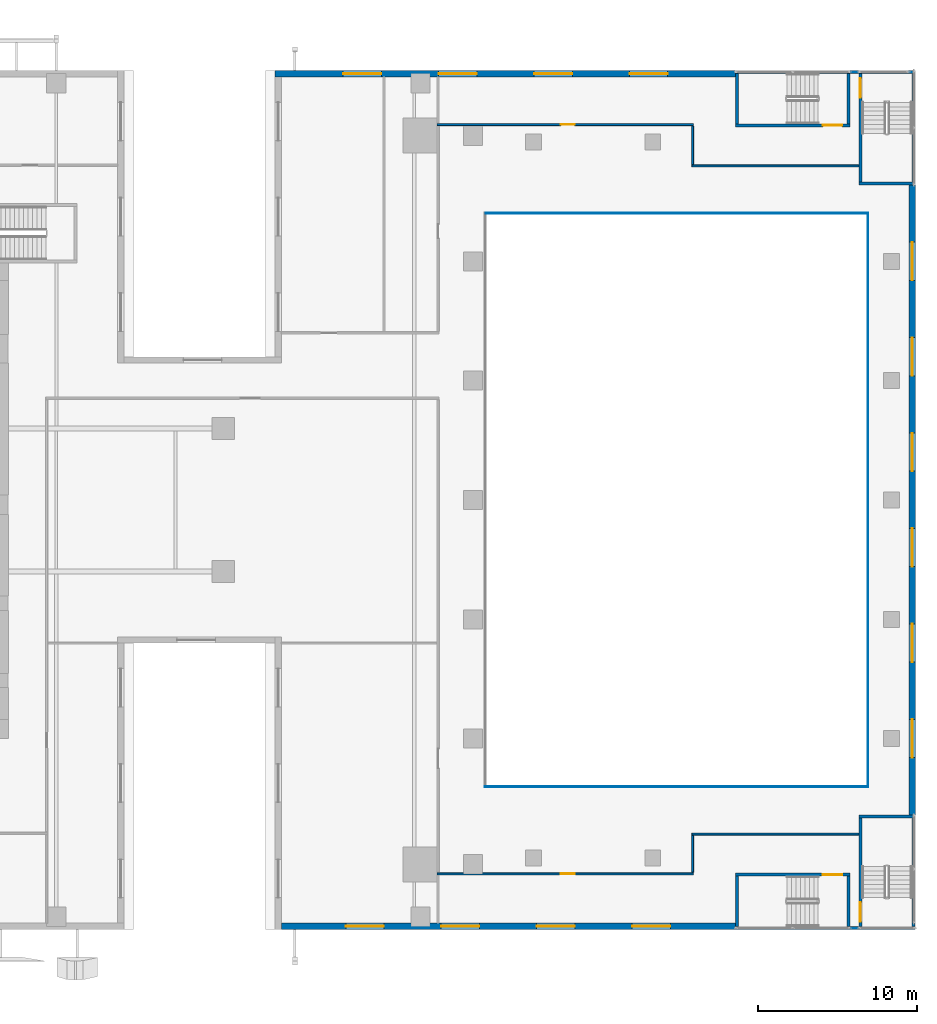
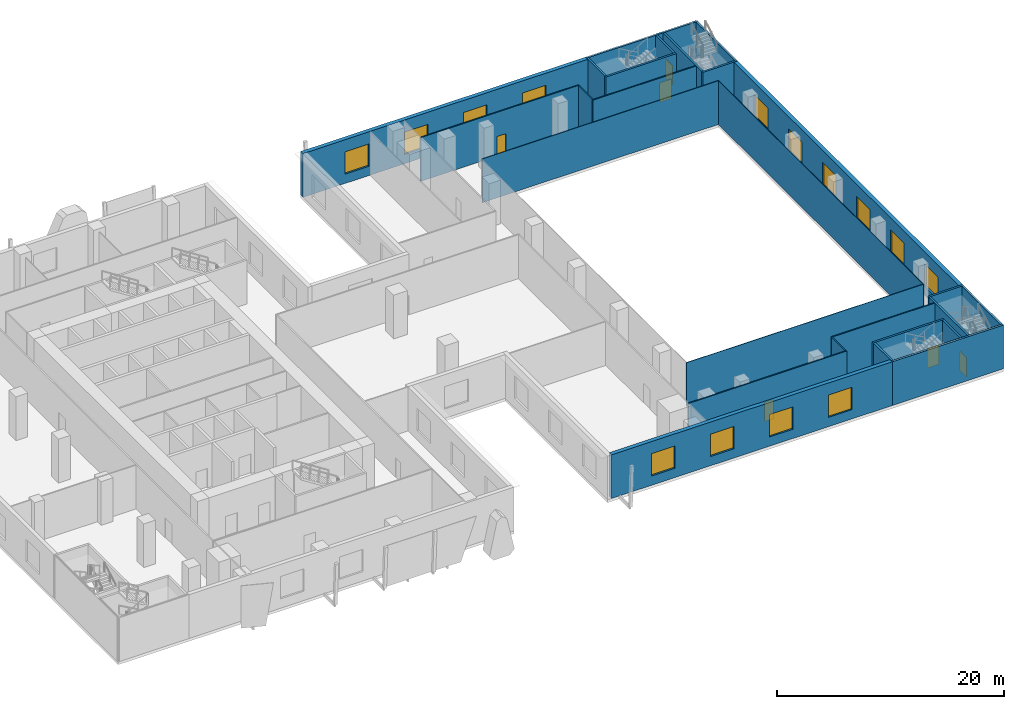
# One storey, part 14 of 22: 26 walls, 14 windows, 6 doors, 20 openings.
"""IFC4 building model written with IfcOpenShell, lengths in metres."""

from ifc_helpers import new_model, si_unit, direction, frame, frame_2d, origin, place, context, subcontext, project, spatial, rectangle, extrude, source, transform, mapped, material, layer, layer_set, type_object, element, fill, save


model = new_model("IFC4")

# Units and contexts
model_context = context("Model", 3, precision=1e-05, world=origin(), true_north=direction((0.0, 1.0)))
body_context = subcontext(model_context, "Body", "Model", "MODEL_VIEW")
ifc_project = project(units=[si_unit("LENGTHUNIT", "METRE"), si_unit("AREAUNIT", "SQUARE_METRE"), si_unit("VOLUMEUNIT", "CUBIC_METRE"), si_unit("PLANEANGLEUNIT", "RADIAN"), si_unit("MASSUNIT", "GRAM", prefix="KILO")], contexts=[model_context])

# Site, building, storey
site_placement = place(None, origin())
site = spatial("IfcSite", under=ifc_project, at=site_placement, CompositionType="ELEMENT")
building_placement = place(site_placement, origin())
building = spatial("IfcBuilding", under=site, at=building_placement, Name="Khomas Fold Tower", CompositionType="ELEMENT")
storey_placement = place(building_placement, frame((0.0, 0.0, 23.5)))
storey = spatial("IfcBuildingStorey", under=building, at=storey_placement, Name="L04", CompositionType="ELEMENT", Elevation=23.5)

# Wall, openings, windows
ifc_material_1 = material(Name="Concrete C40/50", Category="concrete")
ifc_layer_1 = layer(ifc_material_1, 0.39990234375)
ifc_layer_set_1 = layer_set([ifc_layer_1], Name="Concrete C40/50")
wall_type_1 = type_object("IfcWallType", Name="Stone-clad concrete wall 400", PredefinedType="SOLIDWALL", material=ifc_layer_set_1)
shared_shape_1 = source(origin(), body_context, "Body", "SweptSolid", [
    extrude(rectangle(XDim=39.580078125, YDim=0.39990234375, at=frame_2d((19.7900390625, 0.0))), origin(), (0.0, 0.0, 1.0), 4.699951171875),
])
wall_1_placement = place(storey_placement, frame((80.800048828125, 7.2099609375, 0.0), z_axis=(0.0, 0.0, 1.0), x_axis=(0.0, 1.0, 0.0)))
wall_1 = element("IfcWall", 1, at=wall_1_placement, inside=storey, type_object=wall_type_1, Name="Podium wall", PredefinedType="SOLIDWALL", context=body_context, shape_type="MappedRepresentation", body=[
    mapped(shared_shape_1, transform((0.0, 0.0, 0.0))),
])
shared_shape_2 = source(origin(), body_context, "Body", "SweptSolid", [
    extrude(rectangle(XDim=2.39990234375, YDim=2.39990234375, at=frame_2d((1.199951171875, 1.199951171875))), frame((0.0, 0.2099609375, 0.0), z_axis=(0.0, -1.0, 0.0), x_axis=(1.0, 0.0, 0.0)), (0.0, 0.0, 1.0), 0.419921875),
])
opening_1_placement = place(wall_1_placement, frame((3.60009765625, 0.0, 1.0)))
opening_1 = element("IfcOpeningElement", 2, at=opening_1_placement, cuts=wall_1, Name="Opening PD-WN", PredefinedType="OPENING", context=body_context, shape_type="MappedRepresentation", body=[
    mapped(shared_shape_2, transform((0.0, 0.0, 0.0))),
])
opening_2_placement = place(wall_1_placement, frame((9.60009765625, 0.0, 1.0)))
opening_2 = element("IfcOpeningElement", 3, at=opening_2_placement, cuts=wall_1, Name="Opening PD-WN", PredefinedType="OPENING", context=body_context, shape_type="MappedRepresentation", body=[
    mapped(shared_shape_2, transform((0.0, 0.0, 0.0))),
])
opening_3_placement = place(wall_1_placement, frame((15.60009765625, 0.0, 1.0)))
opening_3 = element("IfcOpeningElement", 4, at=opening_3_placement, cuts=wall_1, Name="Opening PD-WN", PredefinedType="OPENING", context=body_context, shape_type="MappedRepresentation", body=[
    mapped(shared_shape_2, transform((0.0, 0.0, 0.0))),
])
opening_4_placement = place(wall_1_placement, frame((21.60009765625, 0.0, 1.0)))
opening_4 = element("IfcOpeningElement", 5, at=opening_4_placement, cuts=wall_1, Name="Opening PD-WN", PredefinedType="OPENING", context=body_context, shape_type="MappedRepresentation", body=[
    mapped(shared_shape_2, transform((0.0, 0.0, 0.0))),
])
opening_5_placement = place(wall_1_placement, frame((27.60009765625, 0.0, 1.0)))
opening_5 = element("IfcOpeningElement", 6, at=opening_5_placement, cuts=wall_1, Name="Opening PD-WN", PredefinedType="OPENING", context=body_context, shape_type="MappedRepresentation", body=[
    mapped(shared_shape_2, transform((0.0, 0.0, 0.0))),
])
opening_6_placement = place(wall_1_placement, frame((33.60009765625, 0.0, 1.0)))
opening_6 = element("IfcOpeningElement", 7, at=opening_6_placement, cuts=wall_1, Name="Opening PD-WN", PredefinedType="OPENING", context=body_context, shape_type="MappedRepresentation", body=[
    mapped(shared_shape_2, transform((0.0, 0.0, 0.0))),
])
ifc_material_2 = material(Name="Aluminium framed double glazing", Category="aluminium")
window_type = type_object("IfcWindowType", Name="Podium window 2400 x 2400", PartitioningType="SINGLE_PANEL", PredefinedType="WINDOW", material=ifc_material_2)
shared_shape_3 = source(origin(), body_context, "Body", "SweptSolid", [
    extrude(rectangle(XDim=2.39990234375, YDim=2.39990234375, at=frame_2d((1.199951171875, 1.199951171875))), frame((0.0, 0.030029296875, 0.0), z_axis=(0.0, -1.0, 0.0), x_axis=(1.0, 0.0, 0.0)), (0.0, 0.0, 1.0), 0.06005859375),
])
window_1_placement = place(opening_1_placement, origin())
window_1 = element("IfcWindow", 8, at=window_1_placement, inside=storey, type_object=window_type, Name="Podium window", OverallHeight=2.39990234375, OverallWidth=2.39990234375, PartitioningType="SINGLE_PANEL", PredefinedType="WINDOW", context=body_context, shape_type="MappedRepresentation", body=[
    mapped(shared_shape_3, transform((0.0, 0.0, 0.0))),
])
fill(opening_1, window_1)
window_2_placement = place(opening_2_placement, origin())
window_2 = element("IfcWindow", 9, at=window_2_placement, inside=storey, type_object=window_type, Name="Podium window", OverallHeight=2.39990234375, OverallWidth=2.39990234375, PartitioningType="SINGLE_PANEL", PredefinedType="WINDOW", context=body_context, shape_type="MappedRepresentation", body=[
    mapped(shared_shape_3, transform((0.0, 0.0, 0.0))),
])
fill(opening_2, window_2)
window_3_placement = place(opening_3_placement, origin())
window_3 = element("IfcWindow", 10, at=window_3_placement, inside=storey, type_object=window_type, Name="Podium window", OverallHeight=2.39990234375, OverallWidth=2.39990234375, PartitioningType="SINGLE_PANEL", PredefinedType="WINDOW", context=body_context, shape_type="MappedRepresentation", body=[
    mapped(shared_shape_3, transform((0.0, 0.0, 0.0))),
])
fill(opening_3, window_3)
window_4_placement = place(opening_4_placement, origin())
window_4 = element("IfcWindow", 11, at=window_4_placement, inside=storey, type_object=window_type, Name="Podium window", OverallHeight=2.39990234375, OverallWidth=2.39990234375, PartitioningType="SINGLE_PANEL", PredefinedType="WINDOW", context=body_context, shape_type="MappedRepresentation", body=[
    mapped(shared_shape_3, transform((0.0, 0.0, 0.0))),
])
fill(opening_4, window_4)
window_5_placement = place(opening_5_placement, origin())
window_5 = element("IfcWindow", 12, at=window_5_placement, inside=storey, type_object=window_type, Name="Podium window", OverallHeight=2.39990234375, OverallWidth=2.39990234375, PartitioningType="SINGLE_PANEL", PredefinedType="WINDOW", context=body_context, shape_type="MappedRepresentation", body=[
    mapped(shared_shape_3, transform((0.0, 0.0, 0.0))),
])
fill(opening_5, window_5)
window_6_placement = place(opening_6_placement, origin())
window_6 = element("IfcWindow", 13, at=window_6_placement, inside=storey, type_object=window_type, Name="Podium window", OverallHeight=2.39990234375, OverallWidth=2.39990234375, PartitioningType="SINGLE_PANEL", PredefinedType="WINDOW", context=body_context, shape_type="MappedRepresentation", body=[
    mapped(shared_shape_3, transform((0.0, 0.0, 0.0))),
])
fill(opening_6, window_6)

shared_shape_4 = source(origin(), body_context, "Body", "SweptSolid", [
    extrude(rectangle(XDim=28.5400390625, YDim=0.39990234375, at=frame_2d((14.27001953125, 0.0))), origin(), (0.0, 0.0, 1.0), 4.699951171875),
])
wall_2_placement = place(storey_placement, frame((41.14990234375, 0.199951171875, 0.0), z_axis=(0.0, 0.0, 1.0), x_axis=(1.0, 0.0, 0.0)))
wall_2 = element("IfcWall", 14, at=wall_2_placement, inside=storey, type_object=wall_type_1, Name="Podium wall", PredefinedType="SOLIDWALL", context=body_context, shape_type="MappedRepresentation", body=[
    mapped(shared_shape_4, transform((0.0, 0.0, 0.0))),
])
opening_7_placement = place(wall_2_placement, frame((4.050048828125, 0.0, 1.0)))
opening_7 = element("IfcOpeningElement", 15, at=opening_7_placement, cuts=wall_2, Name="Opening PD-WN", PredefinedType="OPENING", context=body_context, shape_type="MappedRepresentation", body=[
    mapped(shared_shape_2, transform((0.0, 0.0, 0.0))),
])
opening_8_placement = place(wall_2_placement, frame((10.050048828125, 0.0, 1.0)))
opening_8 = element("IfcOpeningElement", 16, at=opening_8_placement, cuts=wall_2, Name="Opening PD-WN", PredefinedType="OPENING", context=body_context, shape_type="MappedRepresentation", body=[
    mapped(shared_shape_2, transform((0.0, 0.0, 0.0))),
])
opening_9_placement = place(wall_2_placement, frame((16.050048828125, 0.0, 1.0)))
opening_9 = element("IfcOpeningElement", 17, at=opening_9_placement, cuts=wall_2, Name="Opening PD-WN", PredefinedType="OPENING", context=body_context, shape_type="MappedRepresentation", body=[
    mapped(shared_shape_2, transform((0.0, 0.0, 0.0))),
])
opening_10_placement = place(wall_2_placement, frame((22.050048828125, 0.0, 1.0)))
opening_10 = element("IfcOpeningElement", 18, at=opening_10_placement, cuts=wall_2, Name="Opening PD-WN", PredefinedType="OPENING", context=body_context, shape_type="MappedRepresentation", body=[
    mapped(shared_shape_2, transform((0.0, 0.0, 0.0))),
])
window_7_placement = place(opening_7_placement, origin())
window_7 = element("IfcWindow", 19, at=window_7_placement, inside=storey, type_object=window_type, Name="Podium window", OverallHeight=2.39990234375, OverallWidth=2.39990234375, PartitioningType="SINGLE_PANEL", PredefinedType="WINDOW", context=body_context, shape_type="MappedRepresentation", body=[
    mapped(shared_shape_3, transform((0.0, 0.0, 0.0))),
])
fill(opening_7, window_7)
window_8_placement = place(opening_8_placement, origin())
window_8 = element("IfcWindow", 20, at=window_8_placement, inside=storey, type_object=window_type, Name="Podium window", OverallHeight=2.39990234375, OverallWidth=2.39990234375, PartitioningType="SINGLE_PANEL", PredefinedType="WINDOW", context=body_context, shape_type="MappedRepresentation", body=[
    mapped(shared_shape_3, transform((0.0, 0.0, 0.0))),
])
fill(opening_8, window_8)
window_9_placement = place(opening_9_placement, origin())
window_9 = element("IfcWindow", 21, at=window_9_placement, inside=storey, type_object=window_type, Name="Podium window", OverallHeight=2.39990234375, OverallWidth=2.39990234375, PartitioningType="SINGLE_PANEL", PredefinedType="WINDOW", context=body_context, shape_type="MappedRepresentation", body=[
    mapped(shared_shape_3, transform((0.0, 0.0, 0.0))),
])
fill(opening_9, window_9)
window_10_placement = place(opening_10_placement, origin())
window_10 = element("IfcWindow", 22, at=window_10_placement, inside=storey, type_object=window_type, Name="Podium window", OverallHeight=2.39990234375, OverallWidth=2.39990234375, PartitioningType="SINGLE_PANEL", PredefinedType="WINDOW", context=body_context, shape_type="MappedRepresentation", body=[
    mapped(shared_shape_3, transform((0.0, 0.0, 0.0))),
])
fill(opening_10, window_10)

shared_shape_5 = source(origin(), body_context, "Body", "SweptSolid", [
    extrude(rectangle(XDim=28.93994140625, YDim=0.39990234375, at=frame_2d((14.469970703125, 0.0))), origin(), (0.0, 0.0, 1.0), 4.699951171875),
])
wall_3_placement = place(storey_placement, frame((69.68994140625, 53.800048828125, 0.0), z_axis=(0.0, 0.0, 1.0), x_axis=(-1.0, 0.0, 0.0)))
wall_3 = element("IfcWall", 23, at=wall_3_placement, inside=storey, type_object=wall_type_1, Name="Podium wall", PredefinedType="SOLIDWALL", context=body_context, shape_type="MappedRepresentation", body=[
    mapped(shared_shape_5, transform((0.0, 0.0, 0.0))),
])
opening_11_placement = place(wall_3_placement, frame((4.25, 0.0, 1.0)))
opening_11 = element("IfcOpeningElement", 24, at=opening_11_placement, cuts=wall_3, Name="Opening PD-WN", PredefinedType="OPENING", context=body_context, shape_type="MappedRepresentation", body=[
    mapped(shared_shape_2, transform((0.0, 0.0, 0.0))),
])
opening_12_placement = place(wall_3_placement, frame((10.25, 0.0, 1.0)))
opening_12 = element("IfcOpeningElement", 25, at=opening_12_placement, cuts=wall_3, Name="Opening PD-WN", PredefinedType="OPENING", context=body_context, shape_type="MappedRepresentation", body=[
    mapped(shared_shape_2, transform((0.0, 0.0, 0.0))),
])
opening_13_placement = place(wall_3_placement, frame((16.25, 0.0, 1.0)))
opening_13 = element("IfcOpeningElement", 26, at=opening_13_placement, cuts=wall_3, Name="Opening PD-WN", PredefinedType="OPENING", context=body_context, shape_type="MappedRepresentation", body=[
    mapped(shared_shape_2, transform((0.0, 0.0, 0.0))),
])
opening_14_placement = place(wall_3_placement, frame((22.25, 0.0, 1.0)))
opening_14 = element("IfcOpeningElement", 27, at=opening_14_placement, cuts=wall_3, Name="Opening PD-WN", PredefinedType="OPENING", context=body_context, shape_type="MappedRepresentation", body=[
    mapped(shared_shape_2, transform((0.0, 0.0, 0.0))),
])
window_11_placement = place(opening_11_placement, origin())
window_11 = element("IfcWindow", 28, at=window_11_placement, inside=storey, type_object=window_type, Name="Podium window", OverallHeight=2.39990234375, OverallWidth=2.39990234375, PartitioningType="SINGLE_PANEL", PredefinedType="WINDOW", context=body_context, shape_type="MappedRepresentation", body=[
    mapped(shared_shape_3, transform((0.0, 0.0, 0.0))),
])
fill(opening_11, window_11)
window_12_placement = place(opening_12_placement, origin())
window_12 = element("IfcWindow", 29, at=window_12_placement, inside=storey, type_object=window_type, Name="Podium window", OverallHeight=2.39990234375, OverallWidth=2.39990234375, PartitioningType="SINGLE_PANEL", PredefinedType="WINDOW", context=body_context, shape_type="MappedRepresentation", body=[
    mapped(shared_shape_3, transform((0.0, 0.0, 0.0))),
])
fill(opening_12, window_12)
window_13_placement = place(opening_13_placement, origin())
window_13 = element("IfcWindow", 30, at=window_13_placement, inside=storey, type_object=window_type, Name="Podium window", OverallHeight=2.39990234375, OverallWidth=2.39990234375, PartitioningType="SINGLE_PANEL", PredefinedType="WINDOW", context=body_context, shape_type="MappedRepresentation", body=[
    mapped(shared_shape_3, transform((0.0, 0.0, 0.0))),
])
fill(opening_13, window_13)
window_14_placement = place(opening_14_placement, origin())
window_14 = element("IfcWindow", 31, at=window_14_placement, inside=storey, type_object=window_type, Name="Podium window", OverallHeight=2.39990234375, OverallWidth=2.39990234375, PartitioningType="SINGLE_PANEL", PredefinedType="WINDOW", context=body_context, shape_type="MappedRepresentation", body=[
    mapped(shared_shape_3, transform((0.0, 0.0, 0.0))),
])
fill(opening_14, window_14)

# Walls
ifc_material_3 = material(Name="Fire-resistant glazing in Steel S355 frame", Category="steel")
ifc_layer_2 = layer(ifc_material_3, 0.06005859375)
ifc_layer_set_2 = layer_set([ifc_layer_2], Name="Fire-resistant glazing in Steel S355 frame")
wall_type_2 = type_object("IfcWallType", Name="Atrium fire screen 60", PredefinedType="STANDARD", material=ifc_layer_set_2)
shared_shape_6 = source(origin(), body_context, "Body", "SweptSolid", [
    extrude(rectangle(XDim=36.06005859375, YDim=0.06005859375, at=frame_2d((18.030029296875, 0.0))), origin(), (0.0, 0.0, 1.0), 4.699951171875),
])
wall_4_placement = place(storey_placement, frame((78.030029296875, 8.93994140625, 0.0), z_axis=(0.0, 0.0, 1.0), x_axis=(0.0, 1.0, 0.0)))
element("IfcWall", 32, at=wall_4_placement, inside=storey, type_object=wall_type_2, Name="Atrium screen", PredefinedType="SOLIDWALL", context=body_context, shape_type="MappedRepresentation", body=[
    mapped(shared_shape_6, transform((0.0, 0.0, 0.0))),
])
shared_shape_7 = source(origin(), body_context, "Body", "SweptSolid", [
    extrude(rectangle(XDim=24.06005859375, YDim=0.06005859375, at=frame_2d((12.030029296875, 0.0))), origin(), (0.0, 0.0, 1.0), 4.699951171875),
])
for number, where, z_axis, x_axis, name in (
    (33, (78.06005859375, 45.030029296875, 0.0), (0.0, 0.0, 1.0), (-1.0, 0.0, 0.0), "Atrium screen"),
    (34, (53.93994140625, 8.969970703125, 0.0), (0.0, 0.0, 1.0), (1.0, 0.0, 0.0), "Atrium screen"),
):
    element("IfcWall", number, at=place(storey_placement, frame(where, z_axis=z_axis, x_axis=x_axis)), inside=storey, type_object=wall_type_2, Name=name, PredefinedType="SOLIDWALL", context=body_context, shape_type="MappedRepresentation", body=[
        mapped(shared_shape_7, transform((0.0, 0.0, 0.0))),
    ])

# Wall, opening, door
ifc_material_4 = material(Name="Concrete C30/37", Category="concrete")
ifc_layer_3 = layer(ifc_material_4, 0.199951171875)
ifc_layer_set_3 = layer_set([ifc_layer_3], Name="Concrete C30/37")
wall_type_3 = type_object("IfcWallType", Name="Stair wall PW5 200", PredefinedType="PARTITIONING", material=ifc_layer_set_3)
shared_shape_8 = source(origin(), body_context, "Body", "SweptSolid", [
    extrude(rectangle(XDim=7.199951171875, YDim=0.199951171875, at=frame_2d((3.60009765625, 0.0))), origin(), (0.0, 0.0, 1.0), 4.699951171875),
])
wall_5_placement = place(storey_placement, frame((69.699951171875, 3.449951171875, 0.0), z_axis=(0.0, 0.0, 1.0), x_axis=(1.0, 0.0, 0.0)))
wall_5 = element("IfcWall", 35, at=wall_5_placement, inside=storey, type_object=wall_type_3, Name="Stair wall", PredefinedType="PARTITIONING", context=body_context, shape_type="MappedRepresentation", body=[
    mapped(shared_shape_8, transform((0.0, 0.0, 0.0))),
])
shared_shape_9 = source(origin(), body_context, "Body", "SweptSolid", [
    extrude(rectangle(XDim=1.199951171875, YDim=2.10009765625, at=frame_2d((0.60009765625, 1.050048828125))), frame((0.0, 0.10986328125, 0.0), z_axis=(0.0, -1.0, 0.0), x_axis=(1.0, 0.0, 0.0)), (0.0, 0.0, 1.0), 0.219970703125),
])
opening_15_placement = place(wall_5_placement, frame((5.5, 0.0, 0.0)))
opening_15 = element("IfcOpeningElement", 36, at=opening_15_placement, cuts=wall_5, Name="Opening 0018", PredefinedType="OPENING", context=body_context, shape_type="MappedRepresentation", body=[
    mapped(shared_shape_9, transform((0.0, 0.0, 0.0))),
])
ifc_material_5 = material(Name="Steel door leaf", Category="steel")
door_type_1 = type_object("IfcDoorType", Name="Stair door 1200x2100 right-hand", OperationType="SINGLE_SWING_RIGHT", PredefinedType="DOOR", material=ifc_material_5)
shared_shape_10 = source(origin(), body_context, "Body", "SweptSolid", [
    extrude(rectangle(XDim=1.199951171875, YDim=2.10009765625, at=frame_2d((0.60009765625, 1.050048828125))), frame((0.0, 0.02490234375, 0.0), z_axis=(0.0, -1.0, 0.0), x_axis=(1.0, 0.0, 0.0)), (0.0, 0.0, 1.0), 0.050048828125),
])
door_1_placement = place(opening_15_placement, origin())
door_1 = element("IfcDoor", 37, at=door_1_placement, inside=storey, type_object=door_type_1, Name="Stair door", OperationType="SINGLE_SWING_RIGHT", OverallHeight=2.10009765625, OverallWidth=1.199951171875, PredefinedType="DOOR", context=body_context, shape_type="MappedRepresentation", body=[
    mapped(shared_shape_10, transform((0.0, 0.0, 0.0))),
])
fill(opening_15, door_1)

wall_6_placement = place(storey_placement, frame((69.699951171875, 50.550048828125, 0.0), z_axis=(0.0, 0.0, 1.0), x_axis=(1.0, 0.0, 0.0)))
wall_6 = element("IfcWall", 38, at=wall_6_placement, inside=storey, type_object=wall_type_3, Name="Stair wall", PredefinedType="PARTITIONING", context=body_context, shape_type="MappedRepresentation", body=[
    mapped(shared_shape_8, transform((0.0, 0.0, 0.0))),
])
opening_16_placement = place(wall_6_placement, frame((5.5, 0.0, 0.0)))
opening_16 = element("IfcOpeningElement", 39, at=opening_16_placement, cuts=wall_6, Name="Opening 0017", PredefinedType="OPENING", context=body_context, shape_type="MappedRepresentation", body=[
    mapped(shared_shape_9, transform((0.0, 0.0, 0.0))),
])
ifc_material_6 = material(Name="Steel door leaf", Category="steel")
door_type_2 = type_object("IfcDoorType", Name="Stair door 1200x2100 left-hand", OperationType="SINGLE_SWING_LEFT", PredefinedType="DOOR", material=ifc_material_6)
door_2_placement = place(opening_16_placement, origin())
door_2 = element("IfcDoor", 40, at=door_2_placement, inside=storey, type_object=door_type_2, Name="Stair door", OperationType="SINGLE_SWING_LEFT", OverallHeight=2.10009765625, OverallWidth=1.199951171875, PredefinedType="DOOR", context=body_context, shape_type="MappedRepresentation", body=[
    mapped(shared_shape_10, transform((0.0, 0.0, 0.0))),
])
fill(opening_16, door_2)

# Walls
shared_shape_11 = source(origin(), body_context, "Body", "SweptSolid", [
    extrude(rectangle(XDim=3.150146484375, YDim=0.199951171875, at=frame_2d((1.5751953125, 0.0))), origin(), (0.0, 0.0, 1.0), 4.699951171875),
])
for number, where, z_axis, x_axis, name in (
    (41, (69.800048828125, 0.199951171875, 0.0), (0.0, 0.0, 1.0), (0.0, 1.0, 0.0), "Stair wall"),
    (42, (76.800048828125, 0.199951171875, 0.0), (0.0, 0.0, 1.0), (0.0, 1.0, 0.0), "Stair wall"),
    (43, (69.800048828125, 50.64990234375, 0.0), (0.0, 0.0, 1.0), (0.0, 1.0, 0.0), "Stair wall"),
    (44, (76.800048828125, 50.64990234375, 0.0), (0.0, 0.0, 1.0), (0.0, 1.0, 0.0), "Stair wall"),
):
    element("IfcWall", number, at=place(storey_placement, frame(where, z_axis=z_axis, x_axis=x_axis)), inside=storey, type_object=wall_type_3, Name=name, PredefinedType="PARTITIONING", context=body_context, shape_type="MappedRepresentation", body=[
        mapped(shared_shape_11, transform((0.0, 0.0, 0.0))),
    ])
shared_shape_12 = source(origin(), body_context, "Body", "SweptSolid", [
    extrude(rectangle(XDim=3.550048828125, YDim=0.199951171875, at=frame_2d((1.77490234375, 0.0))), origin(), (0.0, 0.0, 1.0), 4.699951171875),
])
for number, where, z_axis, x_axis, name in (
    (45, (77.449951171875, 7.10009765625, 0.0), (0.0, 0.0, 1.0), (1.0, 0.0, 0.0), "Stair wall"),
    (46, (77.449951171875, 46.89990234375, 0.0), (0.0, 0.0, 1.0), (1.0, 0.0, 0.0), "Stair wall"),
):
    element("IfcWall", number, at=place(storey_placement, frame(where, z_axis=z_axis, x_axis=x_axis)), inside=storey, type_object=wall_type_3, Name=name, PredefinedType="PARTITIONING", context=body_context, shape_type="MappedRepresentation", body=[
        mapped(shared_shape_12, transform((0.0, 0.0, 0.0))),
    ])

# Wall, opening, door
shared_shape_13 = source(origin(), body_context, "Body", "SweptSolid", [
    extrude(rectangle(XDim=6.800048828125, YDim=0.199951171875, at=frame_2d((3.39990234375, 0.0))), origin(), (0.0, 0.0, 1.0), 4.699951171875),
])
wall_7_placement = place(storey_placement, frame((77.550048828125, 0.199951171875, 0.0), z_axis=(0.0, 0.0, 1.0), x_axis=(0.0, 1.0, 0.0)))
wall_7 = element("IfcWall", 47, at=wall_7_placement, inside=storey, type_object=wall_type_3, Name="Stair wall", PredefinedType="PARTITIONING", context=body_context, shape_type="MappedRepresentation", body=[
    mapped(shared_shape_13, transform((0.0, 0.0, 0.0))),
])
opening_17_placement = place(wall_7_placement, frame((0.300048828125, 0.0, 0.0)))
opening_17 = element("IfcOpeningElement", 48, at=opening_17_placement, cuts=wall_7, Name="Opening 0018", PredefinedType="OPENING", context=body_context, shape_type="MappedRepresentation", body=[
    mapped(shared_shape_9, transform((0.0, 0.0, 0.0))),
])
door_3_placement = place(opening_17_placement, origin())
door_3 = element("IfcDoor", 49, at=door_3_placement, inside=storey, type_object=door_type_1, Name="Stair door", OperationType="SINGLE_SWING_RIGHT", OverallHeight=2.10009765625, OverallWidth=1.199951171875, PredefinedType="DOOR", context=body_context, shape_type="MappedRepresentation", body=[
    mapped(shared_shape_10, transform((0.0, 0.0, 0.0))),
])
fill(opening_17, door_3)

# Wall
wall_8_placement = place(storey_placement, frame((80.89990234375, 0.199951171875, 0.0), z_axis=(0.0, 0.0, 1.0), x_axis=(0.0, 1.0, 0.0)))
element("IfcWall", 50, at=wall_8_placement, inside=storey, type_object=wall_type_3, Name="Stair wall", PredefinedType="PARTITIONING", context=body_context, shape_type="MappedRepresentation", body=[
    mapped(shared_shape_13, transform((0.0, 0.0, 0.0))),
])

# Wall, opening, door
wall_9_placement = place(storey_placement, frame((77.550048828125, 47.0, 0.0), z_axis=(0.0, 0.0, 1.0), x_axis=(0.0, 1.0, 0.0)))
wall_9 = element("IfcWall", 51, at=wall_9_placement, inside=storey, type_object=wall_type_3, Name="Stair wall", PredefinedType="PARTITIONING", context=body_context, shape_type="MappedRepresentation", body=[
    mapped(shared_shape_13, transform((0.0, 0.0, 0.0))),
])
opening_18_placement = place(wall_9_placement, frame((5.300048828125, 0.0, 0.0)))
opening_18 = element("IfcOpeningElement", 52, at=opening_18_placement, cuts=wall_9, Name="Opening 0018", PredefinedType="OPENING", context=body_context, shape_type="MappedRepresentation", body=[
    mapped(shared_shape_9, transform((0.0, 0.0, 0.0))),
])
door_4_placement = place(opening_18_placement, origin())
door_4 = element("IfcDoor", 53, at=door_4_placement, inside=storey, type_object=door_type_1, Name="Stair door", OperationType="SINGLE_SWING_RIGHT", OverallHeight=2.10009765625, OverallWidth=1.199951171875, PredefinedType="DOOR", context=body_context, shape_type="MappedRepresentation", body=[
    mapped(shared_shape_10, transform((0.0, 0.0, 0.0))),
])
fill(opening_18, door_4)

# Walls
wall_10_placement = place(storey_placement, frame((80.89990234375, 47.0, 0.0), z_axis=(0.0, 0.0, 1.0), x_axis=(0.0, 1.0, 0.0)))
element("IfcWall", 54, at=wall_10_placement, inside=storey, type_object=wall_type_3, Name="Stair wall", PredefinedType="PARTITIONING", context=body_context, shape_type="MappedRepresentation", body=[
    mapped(shared_shape_13, transform((0.0, 0.0, 0.0))),
])
shared_shape_14 = source(origin(), body_context, "Body", "SweptSolid", [
    extrude(rectangle(XDim=11.300048828125, YDim=0.199951171875, at=frame_2d((5.64990234375, 0.0))), origin(), (0.0, 0.0, 1.0), 4.699951171875),
])
for number, where, z_axis, x_axis, name in (
    (55, (69.699951171875, 0.10009765625, 0.0), (0.0, 0.0, 1.0), (1.0, 0.0, 0.0), "Stair wall"),
    (56, (69.699951171875, 53.89990234375, 0.0), (0.0, 0.0, 1.0), (1.0, 0.0, 0.0), "Stair wall"),
):
    element("IfcWall", number, at=place(storey_placement, frame(where, z_axis=z_axis, x_axis=x_axis)), inside=storey, type_object=wall_type_3, Name=name, PredefinedType="PARTITIONING", context=body_context, shape_type="MappedRepresentation", body=[
        mapped(shared_shape_14, transform((0.0, 0.0, 0.0))),
    ])

# Wall, opening, door
ifc_material_7 = material(Name="Plasterboard partition")
ifc_layer_4 = layer(ifc_material_7, 0.125)
ifc_layer_set_4 = layer_set([ifc_layer_4], Name="Plasterboard partition")
wall_type_4 = type_object("IfcWallType", Name="Partition PW2 125", PredefinedType="PARTITIONING", material=ifc_layer_set_4)
shared_shape_15 = source(origin(), body_context, "Body", "SweptSolid", [
    extrude(rectangle(XDim=16.10009765625, YDim=0.125, at=frame_2d((8.050048828125, 0.0))), origin(), (0.0, 0.0, 1.0), 4.699951171875),
])
wall_11_placement = place(storey_placement, frame((50.949951171875, 3.5, 0.0), z_axis=(0.0, 0.0, 1.0), x_axis=(1.0, 0.0, 0.0)))
wall_11 = element("IfcWall", 57, at=wall_11_placement, inside=storey, type_object=wall_type_4, Name="Partition", PredefinedType="PARTITIONING", context=body_context, shape_type="MappedRepresentation", body=[
    mapped(shared_shape_15, transform((0.0, 0.0, 0.0))),
])
shared_shape_16 = source(origin(), body_context, "Body", "SweptSolid", [
    extrude(rectangle(XDim=0.89990234375, YDim=2.10009765625, at=frame_2d((0.449951171875, 1.050048828125))), frame((0.0, 0.072509765625, 0.0), z_axis=(0.0, -1.0, 0.0), x_axis=(1.0, 0.0, 0.0)), (0.0, 0.0, 1.0), 0.14501953125),
])
opening_19_placement = place(wall_11_placement, frame((7.75, 0.0, 0.0)))
opening_19 = element("IfcOpeningElement", 58, at=opening_19_placement, cuts=wall_11, Name="Opening 0008", PredefinedType="OPENING", context=body_context, shape_type="MappedRepresentation", body=[
    mapped(shared_shape_16, transform((0.0, 0.0, 0.0))),
])
ifc_material_8 = material(Name="Timber door leaf", Category="wood")
door_type_3 = type_object("IfcDoorType", Name="Door 900x2100 right-hand", OperationType="SINGLE_SWING_RIGHT", PredefinedType="DOOR", material=ifc_material_8)
shared_shape_17 = source(origin(), body_context, "Body", "SweptSolid", [
    extrude(rectangle(XDim=0.89990234375, YDim=2.10009765625, at=frame_2d((0.449951171875, 1.050048828125))), frame((0.0, 0.02490234375, 0.0), z_axis=(0.0, -1.0, 0.0), x_axis=(1.0, 0.0, 0.0)), (0.0, 0.0, 1.0), 0.050048828125),
])
door_5_placement = place(opening_19_placement, origin())
door_5 = element("IfcDoor", 59, at=door_5_placement, inside=storey, type_object=door_type_3, Name="Door", OperationType="SINGLE_SWING_RIGHT", OverallHeight=2.10009765625, OverallWidth=0.89990234375, PredefinedType="DOOR", context=body_context, shape_type="MappedRepresentation", body=[
    mapped(shared_shape_17, transform((0.0, 0.0, 0.0))),
])
fill(opening_19, door_5)

wall_12_placement = place(storey_placement, frame((50.949951171875, 50.60009765625, 0.0), z_axis=(0.0, 0.0, 1.0), x_axis=(1.0, 0.0, 0.0)))
wall_12 = element("IfcWall", 60, at=wall_12_placement, inside=storey, type_object=wall_type_4, Name="Partition", PredefinedType="PARTITIONING", context=body_context, shape_type="MappedRepresentation", body=[
    mapped(shared_shape_15, transform((0.0, 0.0, 0.0))),
])
opening_20_placement = place(wall_12_placement, frame((7.75, 0.0, 0.0)))
opening_20 = element("IfcOpeningElement", 61, at=opening_20_placement, cuts=wall_12, Name="Opening 0007", PredefinedType="OPENING", context=body_context, shape_type="MappedRepresentation", body=[
    mapped(shared_shape_16, transform((0.0, 0.0, 0.0))),
])
ifc_material_9 = material(Name="Timber door leaf", Category="wood")
door_type_4 = type_object("IfcDoorType", Name="Door 900x2100 left-hand", OperationType="SINGLE_SWING_LEFT", PredefinedType="DOOR", material=ifc_material_9)
door_6_placement = place(opening_20_placement, origin())
door_6 = element("IfcDoor", 62, at=door_6_placement, inside=storey, type_object=door_type_4, Name="Door", OperationType="SINGLE_SWING_LEFT", OverallHeight=2.10009765625, OverallWidth=0.89990234375, PredefinedType="DOOR", context=body_context, shape_type="MappedRepresentation", body=[
    mapped(shared_shape_17, transform((0.0, 0.0, 0.0))),
])
fill(opening_20, door_6)

# Walls
shared_shape_18 = source(origin(), body_context, "Body", "SweptSolid", [
    extrude(rectangle(XDim=2.2998046875, YDim=0.125, at=frame_2d((1.14990234375, 0.0))), origin(), (0.0, 0.0, 1.0), 4.699951171875),
])
wall_13_placement = place(storey_placement, frame((67.0, 3.60009765625, 0.0), z_axis=(0.0, 0.0, 1.0), x_axis=(0.0, 1.0, 0.0)))
element("IfcWall", 63, at=wall_13_placement, inside=storey, type_object=wall_type_4, Name="Partition", PredefinedType="PARTITIONING", context=body_context, shape_type="MappedRepresentation", body=[
    mapped(shared_shape_18, transform((0.0, 0.0, 0.0))),
])
shared_shape_19 = source(origin(), body_context, "Body", "SweptSolid", [
    extrude(rectangle(XDim=10.5, YDim=0.125, at=frame_2d((5.25, 0.0))), origin(), (0.0, 0.0, 1.0), 4.699951171875),
])
for number, where, z_axis, x_axis, name in (
    (64, (66.949951171875, 6.0, 0.0), (0.0, 0.0, 1.0), (1.0, 0.0, 0.0), "Partition"),
    (65, (66.949951171875, 48.0, 0.0), (0.0, 0.0, 1.0), (1.0, 0.0, 0.0), "Partition"),
):
    element("IfcWall", number, at=place(storey_placement, frame(where, z_axis=z_axis, x_axis=x_axis)), inside=storey, type_object=wall_type_4, Name=name, PredefinedType="PARTITIONING", context=body_context, shape_type="MappedRepresentation", body=[
        mapped(shared_shape_19, transform((0.0, 0.0, 0.0))),
    ])
shared_shape_20 = source(origin(), body_context, "Body", "SweptSolid", [
    extrude(rectangle(XDim=2.39990234375, YDim=0.125, at=frame_2d((1.199951171875, 0.0))), origin(), (0.0, 0.0, 1.0), 4.699951171875),
])
wall_14_placement = place(storey_placement, frame((67.0, 48.10009765625, 0.0), z_axis=(0.0, 0.0, 1.0), x_axis=(0.0, 1.0, 0.0)))
element("IfcWall", 66, at=wall_14_placement, inside=storey, type_object=wall_type_4, Name="Partition", PredefinedType="PARTITIONING", context=body_context, shape_type="MappedRepresentation", body=[
    mapped(shared_shape_20, transform((0.0, 0.0, 0.0))),
])

save(model, "model.ifc")
